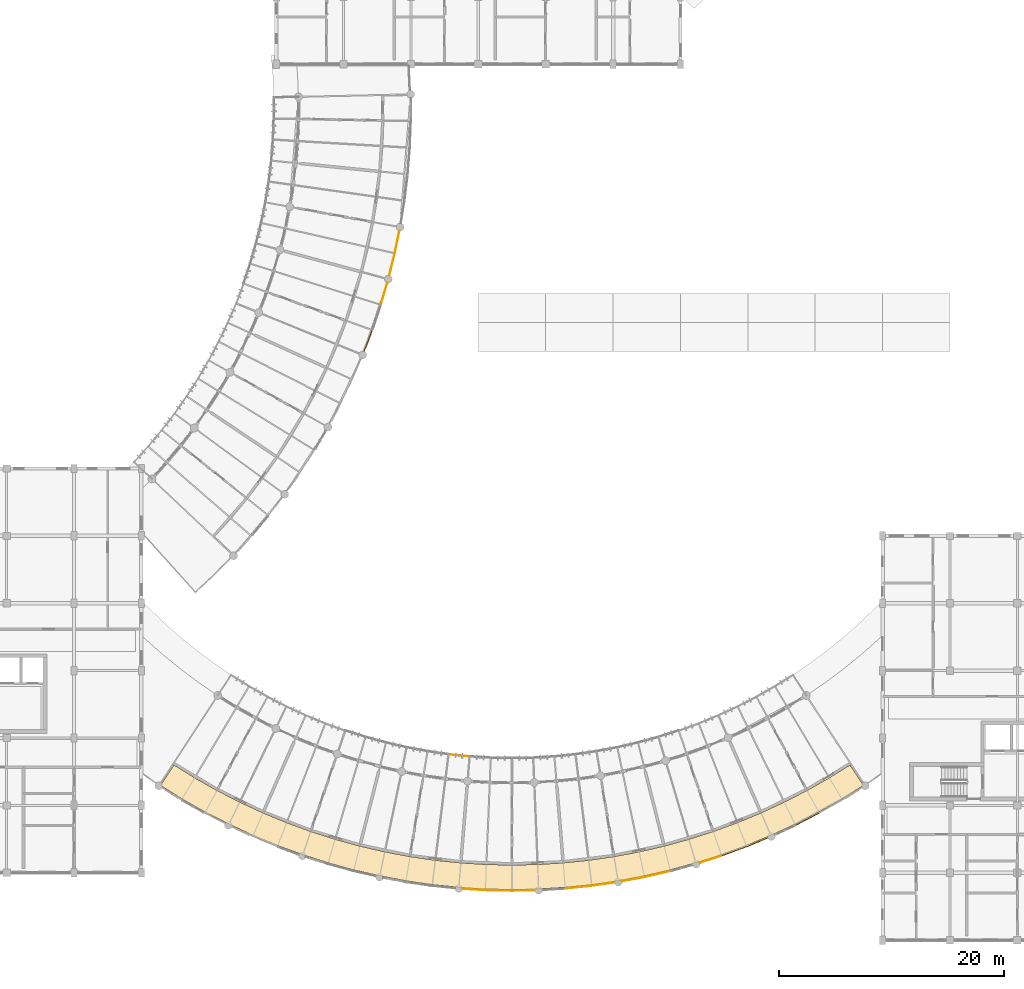
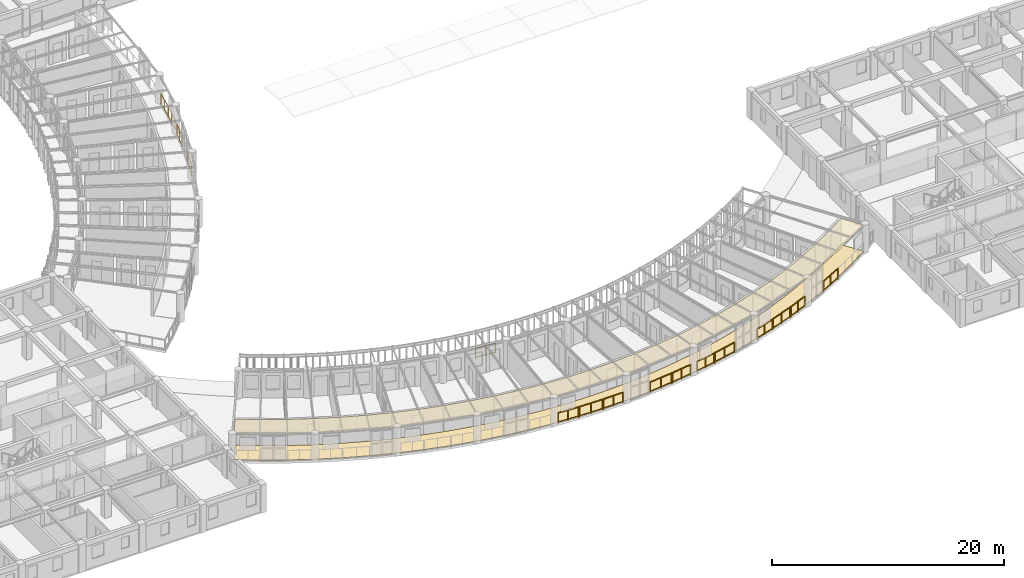
# One storey, part 91 of 100: 16 railings, 2 coverings.
"""IFC4 building model written with IfcOpenShell, lengths in metres."""

from ifc_helpers import new_model, si_unit, direction, frame, origin, origin_2d, place, context, subcontext, project, spatial, polyline, circle, outline, extrude, material, layer, layer_set, type_object, element, save


model = new_model("IFC4")

# Units and contexts
model_context = context("Model", 3, precision=1e-05, world=origin(), true_north=direction((0.0, 1.0)))
body_context = subcontext(model_context, "Body", "Model", "MODEL_VIEW")
ifc_project = project(units=[si_unit("LENGTHUNIT", "METRE"), si_unit("AREAUNIT", "SQUARE_METRE"), si_unit("VOLUMEUNIT", "CUBIC_METRE"), si_unit("PLANEANGLEUNIT", "RADIAN"), si_unit("MASSUNIT", "GRAM", prefix="KILO"), si_unit("POWERUNIT", "WATT"), si_unit("THERMODYNAMICTEMPERATUREUNIT", "KELVIN")], contexts=[model_context])

# Site, building, storey
site_placement = place(None, origin())
site = spatial("IfcSite", under=ifc_project, at=site_placement, CompositionType="ELEMENT")
building_placement = place(site_placement, origin())
building = spatial("IfcBuilding", under=site, at=building_placement, Name="Ruvembo Vaulted Housing Court", CompositionType="ELEMENT")
storey_placement = place(building_placement, frame((0.0, 0.0, 10.89990234375)))
storey = spatial("IfcBuildingStorey", under=building, at=storey_placement, Name="L03", CompositionType="ELEMENT", Elevation=10.89990234375)

# Coverings
ifc_material_1 = material(Name="Perforated Mineral-Fibre Acoustic Tile", Category="gypsum")
ifc_layer_1 = layer(ifc_material_1, 0.02001953125, Name="Perforated Mineral-Fibre Acoustic Tile")
ifc_layer_set_1 = layer_set([ifc_layer_1], Name="Perforated Mineral-Fibre Acoustic Tile")
covering_type_1 = type_object("IfcCoveringType", Name="COV-CEIL-ACOUST", PredefinedType="CEILING", material=ifc_layer_set_1)
covering_1_placement = place(storey_placement, frame((0.0, 0.0, 2.75)))
element("IfcCovering", 1, at=covering_1_placement, inside=storey, type_object=covering_type_1, Name="Scoop SC2 L03 Shaded Access Gallery Ceiling", PredefinedType="CEILING", context=body_context, shape_type="SweptSolid", body=[
    extrude(outline(polyline([(37.705810546875, 13.7763671875), (39.62548828125, 12.5810546875), (41.6884765625, 11.41162109375), (43.798095703125, 10.328369140625), (45.950439453125, 9.3330078125), (48.14208984375, 8.427001953125), (50.369384765625, 7.612548828125), (52.628173828125, 6.890380859375), (54.9150390625, 6.26220703125), (57.2255859375, 5.728759765625), (59.556396484375, 5.291015625), (61.9033203125, 4.94970703125), (64.26220703125, 4.70556640625), (66.62890625, 4.558837890625), (69.0, 4.510009765625), (71.37109375, 4.558837890625), (73.73779296875, 4.70556640625), (76.0966796875, 4.94970703125), (78.443603515625, 5.291015625), (80.7744140625, 5.728759765625), (83.0849609375, 6.26220703125), (85.371826171875, 6.890380859375), (87.630615234375, 7.612548828125), (89.85791015625, 8.427001953125), (92.049560546875, 9.3330078125), (94.201904296875, 10.328369140625), (96.3115234375, 11.41162109375), (98.37451171875, 12.5810546875), (100.294189453125, 13.7763671875), (99.104248046875, 15.602783203125), (97.2626953125, 14.456298828125), (97.2587890625, 14.453857421875), (95.27783203125, 13.3310546875), (95.27392578125, 13.328857421875), (93.248291015625, 12.288818359375), (93.244384765625, 12.286865234375), (91.177490234375, 11.3310546875), (91.17333984375, 11.3291015625), (89.069091796875, 10.45947265625), (89.064697265625, 10.457763671875), (86.92626953125, 9.675537109375), (86.922119140625, 9.674072265625), (84.753173828125, 8.980712890625), (84.748779296875, 8.9794921875), (82.552978515625, 8.376220703125), (82.548583984375, 8.375244140625), (80.330078125, 7.86279296875), (80.32568359375, 7.862060546875), (78.087646484375, 7.441650390625), (78.083251953125, 7.44091796875), (75.829833984375, 7.11328125), (75.825439453125, 7.11279296875), (73.560546875, 6.87841796875), (73.555908203125, 6.8779296875), (71.283203125, 6.737060546875), (71.27880859375, 6.73681640625), (69.002197265625, 6.68994140625), (68.997802734375, 6.68994140625), (66.72119140625, 6.73681640625), (66.716796875, 6.737060546875), (64.444091796875, 6.8779296875), (64.439453125, 6.87841796875), (62.174560546875, 7.11279296875), (62.170166015625, 7.11328125), (59.916748046875, 7.44091796875), (59.912109375, 7.441650390625), (57.67431640625, 7.862060546875), (57.669921875, 7.86279296875), (55.451416015625, 8.375244140625), (55.447021484375, 8.376220703125), (53.251220703125, 8.9794921875), (53.246826171875, 8.980712890625), (51.077880859375, 9.674072265625), (51.07373046875, 9.675537109375), (48.935302734375, 10.457763671875), (48.930908203125, 10.45947265625), (46.82666015625, 11.3291015625), (46.822509765625, 11.3310546875), (44.755615234375, 12.286865234375), (44.751708984375, 12.288818359375), (42.72607421875, 13.328857421875), (42.72216796875, 13.3310546875), (40.7412109375, 14.453857421875), (40.7373046875, 14.456298828125), (38.895751953125, 15.602783203125), (37.705810546875, 13.7763671875)])), origin(), (0.0, 0.0, 1.0), 0.02001953125),
])
ifc_material_2 = material(Name="Polished Cement-Aggregate Terrazzo", Category="stone")
ifc_layer_2 = layer(ifc_material_2, 0.02197265625, Name="Polished Cement-Aggregate Terrazzo")
ifc_layer_set_2 = layer_set([ifc_layer_2], Name="Polished Cement-Aggregate Terrazzo")
covering_type_2 = type_object("IfcCoveringType", Name="COV-FLR-CERAMIC", PredefinedType="FLOORING", material=ifc_layer_set_2)
covering_2_placement = place(storey_placement, origin())
element("IfcCovering", 2, at=covering_2_placement, inside=storey, type_object=covering_type_2, Name="Scoop SC2 L03 Shaded Access Gallery Flooring", PredefinedType="FLOORING", context=body_context, shape_type="SweptSolid", body=[
    extrude(outline(polyline([(37.705810546875, 13.7763671875), (39.62548828125, 12.5810546875), (41.6884765625, 11.41162109375), (43.798095703125, 10.328369140625), (45.950439453125, 9.3330078125), (48.14208984375, 8.427001953125), (50.369384765625, 7.612548828125), (52.628173828125, 6.890380859375), (54.9150390625, 6.26220703125), (57.2255859375, 5.728759765625), (59.556396484375, 5.291015625), (61.9033203125, 4.94970703125), (64.26220703125, 4.70556640625), (66.62890625, 4.558837890625), (69.0, 4.510009765625), (71.37109375, 4.558837890625), (73.73779296875, 4.70556640625), (76.0966796875, 4.94970703125), (78.443603515625, 5.291015625), (80.7744140625, 5.728759765625), (83.0849609375, 6.26220703125), (85.371826171875, 6.890380859375), (87.630615234375, 7.612548828125), (89.85791015625, 8.427001953125), (92.049560546875, 9.3330078125), (94.201904296875, 10.328369140625), (96.3115234375, 11.41162109375), (98.37451171875, 12.5810546875), (100.294189453125, 13.7763671875), (99.104248046875, 15.602783203125), (97.2626953125, 14.456298828125), (97.2587890625, 14.453857421875), (95.27783203125, 13.3310546875), (95.27392578125, 13.328857421875), (93.248291015625, 12.288818359375), (93.244384765625, 12.286865234375), (91.177490234375, 11.3310546875), (91.17333984375, 11.3291015625), (89.069091796875, 10.45947265625), (89.064697265625, 10.457763671875), (86.92626953125, 9.675537109375), (86.922119140625, 9.674072265625), (84.753173828125, 8.980712890625), (84.748779296875, 8.9794921875), (82.552978515625, 8.376220703125), (82.548583984375, 8.375244140625), (80.330078125, 7.86279296875), (80.32568359375, 7.862060546875), (78.087646484375, 7.441650390625), (78.083251953125, 7.44091796875), (75.829833984375, 7.11328125), (75.825439453125, 7.11279296875), (73.560546875, 6.87841796875), (73.555908203125, 6.8779296875), (71.283203125, 6.737060546875), (71.27880859375, 6.73681640625), (69.002197265625, 6.68994140625), (68.997802734375, 6.68994140625), (66.72119140625, 6.73681640625), (66.716796875, 6.737060546875), (64.444091796875, 6.8779296875), (64.439453125, 6.87841796875), (62.174560546875, 7.11279296875), (62.170166015625, 7.11328125), (59.916748046875, 7.44091796875), (59.912109375, 7.441650390625), (57.67431640625, 7.862060546875), (57.669921875, 7.86279296875), (55.451416015625, 8.375244140625), (55.447021484375, 8.376220703125), (53.251220703125, 8.9794921875), (53.246826171875, 8.980712890625), (51.077880859375, 9.674072265625), (51.07373046875, 9.675537109375), (48.935302734375, 10.457763671875), (48.930908203125, 10.45947265625), (46.82666015625, 11.3291015625), (46.822509765625, 11.3310546875), (44.755615234375, 12.286865234375), (44.751708984375, 12.288818359375), (42.72607421875, 13.328857421875), (42.72216796875, 13.3310546875), (40.7412109375, 14.453857421875), (40.7373046875, 14.456298828125), (38.895751953125, 15.602783203125), (37.705810546875, 13.7763671875)])), origin(), (0.0, 0.0, 1.0), 0.022216796875),
])

# Railings
ifc_material_3 = material(Name="Galvanised Painted Steel and Laminated Glass", Category="steel")
ifc_layer_3 = layer(ifc_material_3, 0.070068359375, Name="Galvanised Painted Steel and Laminated Glass")
ifc_layer_set_3 = layer_set([ifc_layer_3], Name="Galvanised Painted Steel and Laminated Glass")
railing_type_1 = type_object("IfcRailingType", Name="RL-BALUST-1120", PredefinedType="BALUSTRADE", material=ifc_layer_set_3)
railing_1_placement = place(storey_placement, frame((55.8359375, 52.4365234375, 0.0)))
element("IfcRailing", 3, at=railing_1_placement, inside=storey, type_object=railing_type_1, Name="L03 Perimeter Guard RL-EXT-L03-0116", PredefinedType="BALUSTRADE", context=body_context, shape_type="SweptSolid", body=[
    extrude(circle(Radius=0.02392578125, at=origin_2d()), frame((0.0, 0.0, 1.09619140625), z_axis=(0.358341639879, 0.933590525407, 0.0), x_axis=(-0.933590525407, 0.358341639879, 0.0)), (0.0, 0.0, 1.0), 1.9765625),
    extrude(circle(Radius=0.01806640625, at=origin_2d()), frame((0.0, 0.0, 0.1201171875), z_axis=(0.358341639879, 0.933590525407, 0.0), x_axis=(-0.933590525407, 0.358341639879, 0.0)), (0.0, 0.0, 1.0), 1.9765625),
    extrude(circle(Radius=0.02099609375, at=origin_2d()), origin(), (0.0, 0.0, 1.0), 1.072021484375),
    extrude(circle(Radius=0.02099609375, at=origin_2d()), frame((0.35400390625, 0.922607421875, 0.0)), (0.0, 0.0, 1.0), 1.072021484375),
    extrude(circle(Radius=0.02099609375, at=origin_2d()), frame((0.708251953125, 1.84521484375, 0.0)), (0.0, 0.0, 1.0), 1.072021484375),
])
railing_2_placement = place(storey_placement, frame((57.336181640625, 56.628173828125, 0.0)))
element("IfcRailing", 4, at=railing_2_placement, inside=storey, type_object=railing_type_1, Name="L03 Perimeter Guard RL-EXT-L03-0117", PredefinedType="BALUSTRADE", context=body_context, shape_type="SweptSolid", body=[
    extrude(circle(Radius=0.02392578125, at=origin_2d()), frame((0.0, 0.0, 1.09619140625), z_axis=(0.280768323673, 0.959775571903, 0.0), x_axis=(-0.959775571903, 0.280768323673, 0.0)), (0.0, 0.0, 1.0), 1.9765625),
    extrude(circle(Radius=0.01806640625, at=origin_2d()), frame((0.0, 0.0, 0.1201171875), z_axis=(0.280768323673, 0.959775571903, 0.0), x_axis=(-0.959775571903, 0.280768323673, 0.0)), (0.0, 0.0, 1.0), 1.9765625),
    extrude(circle(Radius=0.02099609375, at=origin_2d()), origin(), (0.0, 0.0, 1.0), 1.072021484375),
    extrude(circle(Radius=0.02099609375, at=origin_2d()), frame((0.27734375, 0.948486328125, 0.0)), (0.0, 0.0, 1.0), 1.072021484375),
    extrude(circle(Radius=0.02099609375, at=origin_2d()), frame((0.554931640625, 1.89697265625, 0.0)), (0.0, 0.0, 1.0), 1.072021484375),
])
railing_3_placement = place(storey_placement, frame((58.07373046875, 59.20068359375, 0.0)))
element("IfcRailing", 5, at=railing_3_placement, inside=storey, type_object=railing_type_1, Name="L03 Perimeter Guard RL-EXT-L03-0118", PredefinedType="BALUSTRADE", context=body_context, shape_type="SweptSolid", body=[
    extrude(circle(Radius=0.02392578125, at=origin_2d()), frame((0.0, 0.0, 1.09619140625), z_axis=(0.241227583656, 0.970468573877, 0.0), x_axis=(-0.970468573877, 0.241227583656, 0.0)), (0.0, 0.0, 1.0), 1.9765625),
    extrude(circle(Radius=0.01806640625, at=origin_2d()), frame((0.0, 0.0, 0.1201171875), z_axis=(0.241227583656, 0.970468573877, 0.0), x_axis=(-0.970468573877, 0.241227583656, 0.0)), (0.0, 0.0, 1.0), 1.9765625),
    extrude(circle(Radius=0.02099609375, at=origin_2d()), origin(), (0.0, 0.0, 1.0), 1.072021484375),
    extrude(circle(Radius=0.02099609375, at=origin_2d()), frame((0.23828125, 0.958984375, 0.0)), (0.0, 0.0, 1.0), 1.072021484375),
    extrude(circle(Radius=0.02099609375, at=origin_2d()), frame((0.476806640625, 1.918212890625, 0.0)), (0.0, 0.0, 1.0), 1.072021484375),
])
railing_4_placement = place(storey_placement, frame((58.57275390625, 61.21630859375, 0.0)))
element("IfcRailing", 6, at=railing_4_placement, inside=storey, type_object=railing_type_1, Name="L03 Perimeter Guard RL-EXT-L03-0119", PredefinedType="BALUSTRADE", context=body_context, shape_type="SweptSolid", body=[
    extrude(circle(Radius=0.02392578125, at=origin_2d()), frame((0.0, 0.0, 1.09619140625), z_axis=(0.201196376215, 0.979550926802, 0.0), x_axis=(-0.979550926802, 0.201196376215, 0.0)), (0.0, 0.0, 1.0), 1.976806640625),
    extrude(circle(Radius=0.01806640625, at=origin_2d()), frame((0.0, 0.0, 0.1201171875), z_axis=(0.201196376215, 0.979550926802, 0.0), x_axis=(-0.979550926802, 0.201196376215, 0.0)), (0.0, 0.0, 1.0), 1.976806640625),
    extrude(circle(Radius=0.02099609375, at=origin_2d()), origin(), (0.0, 0.0, 1.0), 1.072021484375),
    extrude(circle(Radius=0.02099609375, at=origin_2d()), frame((0.19873046875, 0.96826171875, 0.0)), (0.0, 0.0, 1.0), 1.072021484375),
    extrude(circle(Radius=0.02099609375, at=origin_2d()), frame((0.397705078125, 1.936279296875, 0.0)), (0.0, 0.0, 1.0), 1.072021484375),
])
railing_5_placement = place(storey_placement, frame((64.602294921875, 4.57421875, 0.0)))
element("IfcRailing", 7, at=railing_5_placement, inside=storey, type_object=railing_type_1, Name="L03 Perimeter Guard RL-EXT-L03-0379", PredefinedType="BALUSTRADE", context=body_context, shape_type="SweptSolid", body=[
    extrude(circle(Radius=0.02392578125, at=origin_2d()), frame((0.0, 0.0, 1.09619140625), z_axis=(0.998090369265, -0.061770662784, 0.0), x_axis=(0.061770662784, 0.998090369265, 0.0)), (0.0, 0.0, 1.0), 1.97607421875),
    extrude(circle(Radius=0.01806640625, at=origin_2d()), frame((0.0, 0.0, 0.1201171875), z_axis=(0.998090369265, -0.061770662784, 0.0), x_axis=(0.061770662784, 0.998090369265, 0.0)), (0.0, 0.0, 1.0), 1.97607421875),
    extrude(circle(Radius=0.02099609375, at=origin_2d()), origin(), (0.0, 0.0, 1.0), 1.072021484375),
    extrude(circle(Radius=0.02099609375, at=origin_2d()), frame((0.986328125, -0.06103515625, 0.0)), (0.0, 0.0, 1.0), 1.072021484375),
    extrude(circle(Radius=0.02099609375, at=origin_2d()), frame((1.972412109375, -0.1220703125, 0.0)), (0.0, 0.0, 1.0), 1.072021484375),
])
railing_6_placement = place(storey_placement, frame((66.674560546875, 4.447998046875, 0.0)))
element("IfcRailing", 8, at=railing_6_placement, inside=storey, type_object=railing_type_1, Name="L03 Perimeter Guard RL-EXT-L03-0380", PredefinedType="BALUSTRADE", context=body_context, shape_type="SweptSolid", body=[
    extrude(circle(Radius=0.02392578125, at=origin_2d()), frame((0.0, 0.0, 1.09619140625), z_axis=(0.999785655104, -0.020703715819, 0.0), x_axis=(0.020703715819, 0.999785655104, 0.0)), (0.0, 0.0, 1.0), 2.27587890625),
    extrude(circle(Radius=0.01806640625, at=origin_2d()), frame((0.0, 0.0, 0.1201171875), z_axis=(0.999785655104, -0.020703715819, 0.0), x_axis=(0.020703715819, 0.999785655104, 0.0)), (0.0, 0.0, 1.0), 2.27587890625),
    extrude(circle(Radius=0.02099609375, at=origin_2d()), origin(), (0.0, 0.0, 1.0), 1.072021484375),
    extrude(circle(Radius=0.02099609375, at=origin_2d()), frame((1.1376953125, -0.0234375, 0.0)), (0.0, 0.0, 1.0), 1.072021484375),
    extrude(circle(Radius=0.02099609375, at=origin_2d()), frame((2.275390625, -0.047119140625, 0.0)), (0.0, 0.0, 1.0), 1.072021484375),
])
railing_7_placement = place(storey_placement, frame((69.050048828125, 4.40087890625, 0.0)))
element("IfcRailing", 9, at=railing_7_placement, inside=storey, type_object=railing_type_1, Name="L03 Perimeter Guard RL-EXT-L03-0381", PredefinedType="BALUSTRADE", context=body_context, shape_type="SweptSolid", body=[
    extrude(circle(Radius=0.02392578125, at=origin_2d()), frame((0.0, 0.0, 1.09619140625), z_axis=(0.999784554984, 0.020756772768, 0.0), x_axis=(-0.020756772768, 0.999784554984, 0.0)), (0.0, 0.0, 1.0), 1.97607421875),
    extrude(circle(Radius=0.01806640625, at=origin_2d()), frame((0.0, 0.0, 0.1201171875), z_axis=(0.999784554984, 0.020756772768, 0.0), x_axis=(-0.020756772768, 0.999784554984, 0.0)), (0.0, 0.0, 1.0), 1.97607421875),
    extrude(circle(Radius=0.02099609375, at=origin_2d()), origin(), (0.0, 0.0, 1.0), 1.072021484375),
    extrude(circle(Radius=0.02099609375, at=origin_2d()), frame((0.98779296875, 0.0205078125, 0.0)), (0.0, 0.0, 1.0), 1.072021484375),
    extrude(circle(Radius=0.02099609375, at=origin_2d()), frame((1.9755859375, 0.041015625, 0.0)), (0.0, 0.0, 1.0), 1.072021484375),
])
railing_8_placement = place(storey_placement, frame((73.796630859375, 4.60107421875, 0.0)))
element("IfcRailing", 10, at=railing_8_placement, inside=storey, type_object=railing_type_1, Name="L03 Perimeter Guard RL-EXT-L03-0382", PredefinedType="BALUSTRADE", context=body_context, shape_type="SweptSolid", body=[
    extrude(circle(Radius=0.02392578125, at=origin_2d()), frame((0.0, 0.0, 1.09619140625), z_axis=(0.994684977784, 0.102965018188, 0.0), x_axis=(-0.102965018188, 0.994684977784, 0.0)), (0.0, 0.0, 1.0), 2.2763671875),
    extrude(circle(Radius=0.01806640625, at=origin_2d()), frame((0.0, 0.0, 0.1201171875), z_axis=(0.994684977784, 0.102965018188, 0.0), x_axis=(-0.102965018188, 0.994684977784, 0.0)), (0.0, 0.0, 1.0), 2.2763671875),
    extrude(circle(Radius=0.02099609375, at=origin_2d()), origin(), (0.0, 0.0, 1.0), 1.072021484375),
    extrude(circle(Radius=0.02099609375, at=origin_2d()), frame((1.132080078125, 0.1171875, 0.0)), (0.0, 0.0, 1.0), 1.072021484375),
    extrude(circle(Radius=0.02099609375, at=origin_2d()), frame((2.26416015625, 0.234375, 0.0)), (0.0, 0.0, 1.0), 1.072021484375),
])
railing_9_placement = place(storey_placement, frame((76.159912109375, 4.847900390625, 0.0)))
element("IfcRailing", 11, at=railing_9_placement, inside=storey, type_object=railing_type_1, Name="L03 Perimeter Guard RL-EXT-L03-0383", PredefinedType="BALUSTRADE", context=body_context, shape_type="SweptSolid", body=[
    extrude(circle(Radius=0.02392578125, at=origin_2d()), frame((0.0, 0.0, 1.09619140625), z_axis=(0.989603072857, 0.143825443477, 0.0), x_axis=(-0.143825443477, 0.989603072857, 0.0)), (0.0, 0.0, 1.0), 1.975830078125),
    extrude(circle(Radius=0.01806640625, at=origin_2d()), frame((0.0, 0.0, 0.1201171875), z_axis=(0.989603072857, 0.143825443477, 0.0), x_axis=(-0.143825443477, 0.989603072857, 0.0)), (0.0, 0.0, 1.0), 1.975830078125),
    extrude(circle(Radius=0.02099609375, at=origin_2d()), origin(), (0.0, 0.0, 1.0), 1.072021484375),
    extrude(circle(Radius=0.02099609375, at=origin_2d()), frame((0.9775390625, 0.14208984375, 0.0)), (0.0, 0.0, 1.0), 1.072021484375),
    extrude(circle(Radius=0.02099609375, at=origin_2d()), frame((1.955322265625, 0.2841796875, 0.0)), (0.0, 0.0, 1.0), 1.072021484375),
])
railing_10_placement = place(storey_placement, frame((78.8056640625, 5.2470703125, 0.0)))
element("IfcRailing", 12, at=railing_10_placement, inside=storey, type_object=railing_type_1, Name="L03 Perimeter Guard RL-EXT-L03-0384", PredefinedType="BALUSTRADE", context=body_context, shape_type="SweptSolid", body=[
    extrude(circle(Radius=0.02392578125, at=origin_2d()), frame((0.0, 0.0, 1.09619140625), z_axis=(0.982817596647, 0.184579445555, 0.0), x_axis=(-0.184579445555, 0.982817596647, 0.0)), (0.0, 0.0, 1.0), 1.97607421875),
    extrude(circle(Radius=0.01806640625, at=origin_2d()), frame((0.0, 0.0, 0.1201171875), z_axis=(0.982817596647, 0.184579445555, 0.0), x_axis=(-0.184579445555, 0.982817596647, 0.0)), (0.0, 0.0, 1.0), 1.97607421875),
    extrude(circle(Radius=0.02099609375, at=origin_2d()), origin(), (0.0, 0.0, 1.0), 1.072021484375),
    extrude(circle(Radius=0.02099609375, at=origin_2d()), frame((0.97119140625, 0.182373046875, 0.0)), (0.0, 0.0, 1.0), 1.072021484375),
    extrude(circle(Radius=0.02099609375, at=origin_2d()), frame((1.942138671875, 0.36474609375, 0.0)), (0.0, 0.0, 1.0), 1.072021484375),
])
railing_11_placement = place(storey_placement, frame((80.845703125, 5.632080078125, 0.0)))
element("IfcRailing", 13, at=railing_11_placement, inside=storey, type_object=railing_type_1, Name="L03 Perimeter Guard RL-EXT-L03-0385", PredefinedType="BALUSTRADE", context=body_context, shape_type="SweptSolid", body=[
    extrude(circle(Radius=0.02392578125, at=origin_2d()), frame((0.0, 0.0, 1.09619140625), z_axis=(0.974345977393, 0.225055362828, 0.0), x_axis=(-0.225055362828, 0.974345977393, 0.0)), (0.0, 0.0, 1.0), 2.27587890625),
    extrude(circle(Radius=0.01806640625, at=origin_2d()), frame((0.0, 0.0, 0.1201171875), z_axis=(0.974345977393, 0.225055362828, 0.0), x_axis=(-0.225055362828, 0.974345977393, 0.0)), (0.0, 0.0, 1.0), 2.27587890625),
    extrude(circle(Radius=0.02099609375, at=origin_2d()), origin(), (0.0, 0.0, 1.0), 1.072021484375),
    extrude(circle(Radius=0.02099609375, at=origin_2d()), frame((1.10888671875, 0.256103515625, 0.0)), (0.0, 0.0, 1.0), 1.072021484375),
    extrude(circle(Radius=0.02099609375, at=origin_2d()), frame((2.217529296875, 0.51220703125, 0.0)), (0.0, 0.0, 1.0), 1.072021484375),
])
railing_12_placement = place(storey_placement, frame((85.736572265625, 6.8916015625, 0.0)))
element("IfcRailing", 14, at=railing_12_placement, inside=storey, type_object=railing_type_1, Name="L03 Perimeter Guard RL-EXT-L03-0386", PredefinedType="BALUSTRADE", context=body_context, shape_type="SweptSolid", body=[
    extrude(circle(Radius=0.02392578125, at=origin_2d()), frame((0.0, 0.0, 1.09619140625), z_axis=(0.952527388303, 0.304452910206, 0.0), x_axis=(-0.304452910206, 0.952527388303, 0.0)), (0.0, 0.0, 1.0), 1.975830078125),
    extrude(circle(Radius=0.01806640625, at=origin_2d()), frame((0.0, 0.0, 0.1201171875), z_axis=(0.952527388303, 0.304452910206, 0.0), x_axis=(-0.304452910206, 0.952527388303, 0.0)), (0.0, 0.0, 1.0), 1.975830078125),
    extrude(circle(Radius=0.02099609375, at=origin_2d()), origin(), (0.0, 0.0, 1.0), 1.072021484375),
    extrude(circle(Radius=0.02099609375, at=origin_2d()), frame((0.94091796875, 0.30078125, 0.0)), (0.0, 0.0, 1.0), 1.072021484375),
    extrude(circle(Radius=0.02099609375, at=origin_2d()), frame((1.882080078125, 0.6015625, 0.0)), (0.0, 0.0, 1.0), 1.072021484375),
])
railing_13_placement = place(storey_placement, frame((87.71337890625, 7.525634765625, 0.0)))
element("IfcRailing", 15, at=railing_13_placement, inside=storey, type_object=railing_type_1, Name="L03 Perimeter Guard RL-EXT-L03-0387", PredefinedType="BALUSTRADE", context=body_context, shape_type="SweptSolid", body=[
    extrude(circle(Radius=0.02392578125, at=origin_2d()), frame((0.0, 0.0, 1.09619140625), z_axis=(0.939146490209, 0.343516913599, 0.0), x_axis=(-0.343516913599, 0.939146490209, 0.0)), (0.0, 0.0, 1.0), 2.275634765625),
    extrude(circle(Radius=0.01806640625, at=origin_2d()), frame((0.0, 0.0, 0.1201171875), z_axis=(0.939146490209, 0.343516913599, 0.0), x_axis=(-0.343516913599, 0.939146490209, 0.0)), (0.0, 0.0, 1.0), 2.275634765625),
    extrude(circle(Radius=0.02099609375, at=origin_2d()), origin(), (0.0, 0.0, 1.0), 1.072021484375),
    extrude(circle(Radius=0.02099609375, at=origin_2d()), frame((1.068603515625, 0.390869140625, 0.0)), (0.0, 0.0, 1.0), 1.072021484375),
    extrude(circle(Radius=0.02099609375, at=origin_2d()), frame((2.13720703125, 0.78173828125, 0.0)), (0.0, 0.0, 1.0), 1.072021484375),
])
railing_14_placement = place(storey_placement, frame((89.94384765625, 8.34375, 0.0)))
element("IfcRailing", 16, at=railing_14_placement, inside=storey, type_object=railing_type_1, Name="L03 Perimeter Guard RL-EXT-L03-0388", PredefinedType="BALUSTRADE", context=body_context, shape_type="SweptSolid", body=[
    extrude(circle(Radius=0.02392578125, at=origin_2d()), frame((0.0, 0.0, 1.09619140625), z_axis=(0.924198862924, 0.381911588944, 0.0), x_axis=(-0.381911588944, 0.924198862924, 0.0)), (0.0, 0.0, 1.0), 1.975830078125),
    extrude(circle(Radius=0.01806640625, at=origin_2d()), frame((0.0, 0.0, 0.1201171875), z_axis=(0.924198862924, 0.381911588944, 0.0), x_axis=(-0.381911588944, 0.924198862924, 0.0)), (0.0, 0.0, 1.0), 1.975830078125),
    extrude(circle(Radius=0.02099609375, at=origin_2d()), origin(), (0.0, 0.0, 1.0), 1.072021484375),
    extrude(circle(Radius=0.02099609375, at=origin_2d()), frame((0.9130859375, 0.37744140625, 0.0)), (0.0, 0.0, 1.0), 1.072021484375),
    extrude(circle(Radius=0.02099609375, at=origin_2d()), frame((1.826171875, 0.754638671875, 0.0)), (0.0, 0.0, 1.0), 1.072021484375),
])
railing_15_placement = place(storey_placement, frame((94.294677734375, 10.252197265625, 0.0)))
element("IfcRailing", 17, at=railing_15_placement, inside=storey, type_object=railing_type_1, Name="L03 Perimeter Guard RL-EXT-L03-0389", PredefinedType="BALUSTRADE", context=body_context, shape_type="SweptSolid", body=[
    extrude(circle(Radius=0.02392578125, at=origin_2d()), frame((0.0, 0.0, 1.09619140625), z_axis=(0.889548168518, 0.456841390295, 0.0), x_axis=(-0.456841390295, 0.889548168518, 0.0)), (0.0, 0.0, 1.0), 2.276123046875),
    extrude(circle(Radius=0.01806640625, at=origin_2d()), frame((0.0, 0.0, 0.1201171875), z_axis=(0.889548168518, 0.456841390295, 0.0), x_axis=(-0.456841390295, 0.889548168518, 0.0)), (0.0, 0.0, 1.0), 2.276123046875),
    extrude(circle(Radius=0.02099609375, at=origin_2d()), origin(), (0.0, 0.0, 1.0), 1.072021484375),
    extrude(circle(Radius=0.02099609375, at=origin_2d()), frame((1.01220703125, 0.52001953125, 0.0)), (0.0, 0.0, 1.0), 1.072021484375),
    extrude(circle(Radius=0.02099609375, at=origin_2d()), frame((2.024658203125, 1.039794921875, 0.0)), (0.0, 0.0, 1.0), 1.072021484375),
])
ifc_material_4 = material(Name="Galvanised Painted Steel S275", Category="steel")
ifc_layer_4 = layer(ifc_material_4, 0.06005859375, Name="Galvanised Painted Steel S275")
ifc_layer_set_4 = layer_set([ifc_layer_4], Name="Galvanised Painted Steel S275")
railing_type_2 = type_object("IfcRailingType", Name="RL-GUARD-1100", PredefinedType="GUARDRAIL", material=ifc_layer_set_4)
railing_16_placement = place(storey_placement, frame((63.34619140625, 16.55029296875, 0.0)))
element("IfcRailing", 18, at=railing_16_placement, inside=storey, type_object=railing_type_2, Name="L03 Perimeter Guard RL-EXT-L03-0352", PredefinedType="GUARDRAIL", context=body_context, shape_type="SweptSolid", body=[
    extrude(circle(Radius=0.02392578125, at=origin_2d()), frame((0.0, 0.0, 1.076171875), z_axis=(0.994683125416, -0.10298291127, 0.0), x_axis=(0.10298291127, 0.994683125416, 0.0)), (0.0, 0.0, 1.0), 1.889404296875),
    extrude(circle(Radius=0.01806640625, at=origin_2d()), frame((0.0, 0.0, 0.1201171875), z_axis=(0.994683125416, -0.10298291127, 0.0), x_axis=(0.10298291127, 0.994683125416, 0.0)), (0.0, 0.0, 1.0), 1.889404296875),
    extrude(circle(Radius=0.02099609375, at=origin_2d()), origin(), (0.0, 0.0, 1.0), 1.052001953125),
    extrude(circle(Radius=0.02099609375, at=origin_2d()), frame((0.939697265625, -0.09716796875, 0.0)), (0.0, 0.0, 1.0), 1.052001953125),
    extrude(circle(Radius=0.02099609375, at=origin_2d()), frame((1.87939453125, -0.194580078125, 0.0)), (0.0, 0.0, 1.0), 1.052001953125),
])

save(model, "model.ifc")
